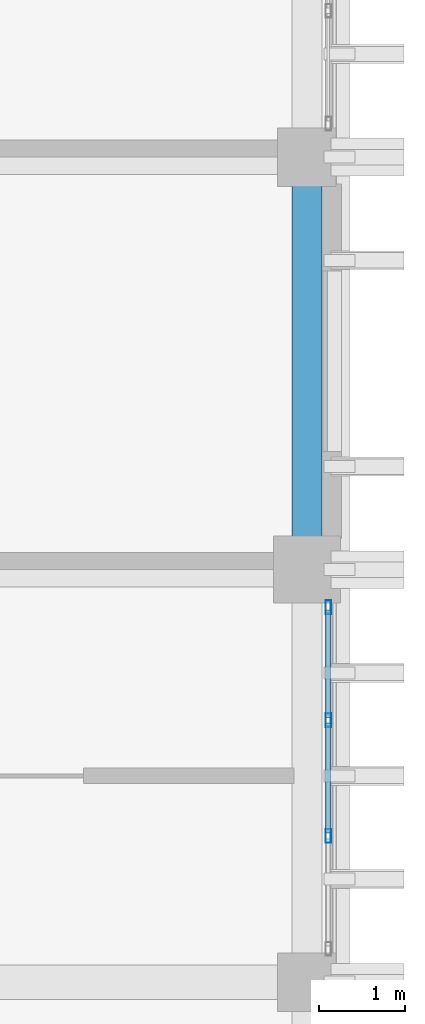
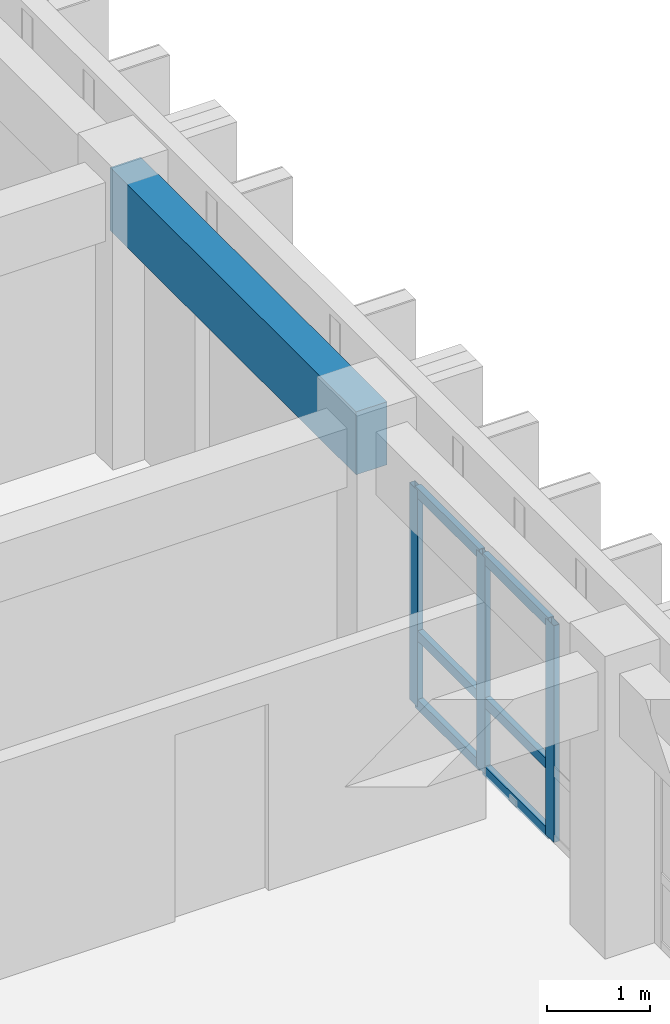
# One storey, part 24 of 68: 9 members, 1 beam, 1 element without a shape of its own.
"""IFC4 building model written with IfcOpenShell, lengths in metres."""

from ifc_helpers import new_model, si_unit, direction, frame, origin, origin_2d, place, context, subcontext, project, spatial, rectangle, hollow_rectangle, extrude, material, layer, layer_set, material_profile, profile_set, type_object, element, aggregate, save


model = new_model("IFC4")

# Units and contexts
model_context = context("Model", 3, precision=1e-05, world=origin(), true_north=direction((0.0, 1.0)))
body_context = subcontext(model_context, "Body", "Model", "MODEL_VIEW")
ifc_project = project(units=[si_unit("LENGTHUNIT", "METRE"), si_unit("AREAUNIT", "SQUARE_METRE"), si_unit("VOLUMEUNIT", "CUBIC_METRE"), si_unit("PLANEANGLEUNIT", "RADIAN"), si_unit("MASSUNIT", "GRAM", prefix="KILO")], contexts=[model_context])

# Site, building, storey
site_placement = place(None, origin())
site = spatial("IfcSite", under=ifc_project, at=site_placement, CompositionType="ELEMENT")
building_placement = place(site_placement, origin())
building = spatial("IfcBuilding", under=site, at=building_placement, Name="Nakhvara Creek Congress Hotel", CompositionType="ELEMENT")
storey_placement = place(building_placement, frame((0.0, 0.0, 24.60009765625)))
storey = spatial("IfcBuildingStorey", under=building, at=storey_placement, Name="L05", CompositionType="ELEMENT", Elevation=24.60009765625)

# Beam
ifc_material_1 = material(Name="Concrete C40/50", Category="concrete")
ifc_material_profile_1 = material_profile(ifc_material_1, rectangle(XDim=0.35009765625, YDim=0.75, at=origin_2d()), Name="RC-SPANDREL 350x750", Category="LoadBearing")
ifc_profile_set_1 = profile_set([ifc_material_profile_1], Name="Concrete C40/50")
beam_type = type_object("IfcBeamType", Name="BM-SPN-350X750", PredefinedType="SPANDREL", material=ifc_profile_set_1)
beam_placement = place(storey_placement, frame((179.35009765625, 67.199951171875, 2.96484375), z_axis=(0.0, 1.0, 0.0), x_axis=(-1.0, 0.0, 0.0)))
element("IfcBeam", 1, at=beam_placement, inside=storey, type_object=beam_type, Name="Beam SP1-L05-2155", PredefinedType="SPANDREL", context=body_context, shape_type="SweptSolid", body=[
    extrude(rectangle(XDim=0.35009765625, YDim=0.75, at=origin_2d()), origin(), (0.0, 0.0, 1.0), 4.800048828125),
])

# Curtain wall, members
ifc_material_2 = material(Name="Bronze-anodised aluminium AW-6063-T6 and double-silver low-E glass", Category="aluminium")
ifc_layer = layer(ifc_material_2, 0.199951171875)
ifc_layer_set = layer_set([ifc_layer], Name="Bronze-anodised aluminium AW-6063-T6 and double-silver low-E glass")
curtain_wall_type = type_object("IfcCurtainWallType", Name="CW-HTL-UNIT", PredefinedType="USERDEFINED", material=ifc_layer_set)
curtain_wall_placement = place(storey_placement, origin())
curtain_wall = element("IfcCurtainWall", 2, at=curtain_wall_placement, inside=storey, type_object=curtain_wall_type, Name="Curtain Wall CW212", ObjectType="UNITISED", PredefinedType="USERDEFINED")
ifc_material_3 = material(Name="Bronze-anodised aluminium AW-6063-T6", Category="aluminium")
ifc_material_profile_2 = material_profile(ifc_material_3, hollow_rectangle(XDim=0.06494140625, YDim=0.159912109375, WallThickness=0.00390625, at=origin_2d()), Name="ALU-MULL 65x160x4", Category="LoadBearing")
ifc_profile_set_2 = profile_set([ifc_material_profile_2], Name="Bronze-anodised aluminium AW-6063-T6")
member_type_1 = type_object("IfcMemberType", Name="CW-MULL-160", PredefinedType="MULLION", material=ifc_profile_set_2)
member_1_placement = place(storey_placement, frame((179.60009765625, 66.762451171875, 0.0), z_axis=(0.0, 0.0, 1.0), x_axis=(1.0, 0.0, 0.0)))
member_1 = element("IfcMember", 3, at=member_1_placement, type_object=member_type_1, Name="CW212 mullion 1", PredefinedType="MULLION", context=body_context, shape_type="SweptSolid", body=[
    extrude(hollow_rectangle(XDim=0.06494140625, YDim=0.159912109375, WallThickness=0.00390625, at=origin_2d()), origin(), (0.0, 0.0, 1.0), 2.581787109375),
])
member_2_placement = place(storey_placement, frame((179.60009765625, 65.4482421875, 0.0), z_axis=(0.0, 0.0, 1.0), x_axis=(1.0, 0.0, 0.0)))
member_2 = element("IfcMember", 4, at=member_2_placement, type_object=member_type_1, Name="CW212 mullion 2", PredefinedType="MULLION", context=body_context, shape_type="SweptSolid", body=[
    extrude(hollow_rectangle(XDim=0.06494140625, YDim=0.159912109375, WallThickness=0.00390625, at=origin_2d()), origin(), (0.0, 0.0, 1.0), 2.581787109375),
])
member_3_placement = place(storey_placement, frame((179.60009765625, 64.1015625, 0.0), z_axis=(0.0, 0.0, 1.0), x_axis=(1.0, 0.0, 0.0)))
member_3 = element("IfcMember", 5, at=member_3_placement, type_object=member_type_1, Name="CW212 mullion 3", PredefinedType="MULLION", context=body_context, shape_type="SweptSolid", body=[
    extrude(hollow_rectangle(XDim=0.06494140625, YDim=0.159912109375, WallThickness=0.00390625, at=origin_2d()), origin(), (0.0, 0.0, 1.0), 2.581787109375),
])
ifc_material_profile_3 = material_profile(ifc_material_3, hollow_rectangle(XDim=0.06494140625, YDim=0.1201171875, WallThickness=0.00390625, at=origin_2d()), Name="ALU-TRAN 65x120x4", Category="LoadBearing")
ifc_profile_set_3 = profile_set([ifc_material_profile_3], Name="Bronze-anodised aluminium AW-6063-T6")
member_type_2 = type_object("IfcMemberType", Name="CW-TRAN-120", PredefinedType="USERDEFINED", material=ifc_profile_set_3)
member_4_placement = place(storey_placement, frame((179.60009765625, 66.72998046875, 0.032470703125), z_axis=(0.0, -1.0, 0.0), x_axis=(1.0, 0.0, 0.0)))
member_4 = element("IfcMember", 6, at=member_4_placement, type_object=member_type_2, Name="CW212 transom 1.1", ObjectType="TRANSOM", PredefinedType="USERDEFINED", context=body_context, shape_type="SweptSolid", body=[
    extrude(hollow_rectangle(XDim=0.06494140625, YDim=0.1201171875, WallThickness=0.00390625, at=origin_2d()), origin(), (0.0, 0.0, 1.0), 1.249267578125),
])
member_5_placement = place(storey_placement, frame((179.60009765625, 66.72998046875, 0.849853515625), z_axis=(0.0, -1.0, 0.0), x_axis=(1.0, 0.0, 0.0)))
member_5 = element("IfcMember", 7, at=member_5_placement, type_object=member_type_2, Name="CW212 transom 1.2", ObjectType="TRANSOM", PredefinedType="USERDEFINED", context=body_context, shape_type="SweptSolid", body=[
    extrude(hollow_rectangle(XDim=0.06494140625, YDim=0.1201171875, WallThickness=0.00390625, at=origin_2d()), origin(), (0.0, 0.0, 1.0), 1.249267578125),
])
member_6_placement = place(storey_placement, frame((179.60009765625, 66.72998046875, 2.54931640625), z_axis=(0.0, -1.0, 0.0), x_axis=(1.0, 0.0, 0.0)))
member_6 = element("IfcMember", 8, at=member_6_placement, type_object=member_type_2, Name="CW212 transom 1.3", ObjectType="TRANSOM", PredefinedType="USERDEFINED", context=body_context, shape_type="SweptSolid", body=[
    extrude(hollow_rectangle(XDim=0.06494140625, YDim=0.1201171875, WallThickness=0.00390625, at=origin_2d()), origin(), (0.0, 0.0, 1.0), 1.249267578125),
])
member_7_placement = place(storey_placement, frame((179.60009765625, 65.415771484375, 0.032470703125), z_axis=(0.0, -1.0, 0.0), x_axis=(1.0, 0.0, 0.0)))
member_7 = element("IfcMember", 9, at=member_7_placement, type_object=member_type_2, Name="CW212 transom 2.1", ObjectType="TRANSOM", PredefinedType="USERDEFINED", context=body_context, shape_type="SweptSolid", body=[
    extrude(hollow_rectangle(XDim=0.06494140625, YDim=0.1201171875, WallThickness=0.00390625, at=origin_2d()), origin(), (0.0, 0.0, 1.0), 1.281494140625),
])
member_8_placement = place(storey_placement, frame((179.60009765625, 65.415771484375, 0.849853515625), z_axis=(0.0, -1.0, 0.0), x_axis=(1.0, 0.0, 0.0)))
member_8 = element("IfcMember", 10, at=member_8_placement, type_object=member_type_2, Name="CW212 transom 2.2", ObjectType="TRANSOM", PredefinedType="USERDEFINED", context=body_context, shape_type="SweptSolid", body=[
    extrude(hollow_rectangle(XDim=0.06494140625, YDim=0.1201171875, WallThickness=0.00390625, at=origin_2d()), origin(), (0.0, 0.0, 1.0), 1.281494140625),
])
member_9_placement = place(storey_placement, frame((179.60009765625, 65.415771484375, 2.54931640625), z_axis=(0.0, -1.0, 0.0), x_axis=(1.0, 0.0, 0.0)))
member_9 = element("IfcMember", 11, at=member_9_placement, type_object=member_type_2, Name="CW212 transom 2.3", ObjectType="TRANSOM", PredefinedType="USERDEFINED", context=body_context, shape_type="SweptSolid", body=[
    extrude(hollow_rectangle(XDim=0.06494140625, YDim=0.1201171875, WallThickness=0.00390625, at=origin_2d()), origin(), (0.0, 0.0, 1.0), 1.281494140625),
])
aggregate(curtain_wall, [member_1, member_2, member_3, member_4, member_5, member_6, member_7, member_8, member_9])

save(model, "model.ifc")
